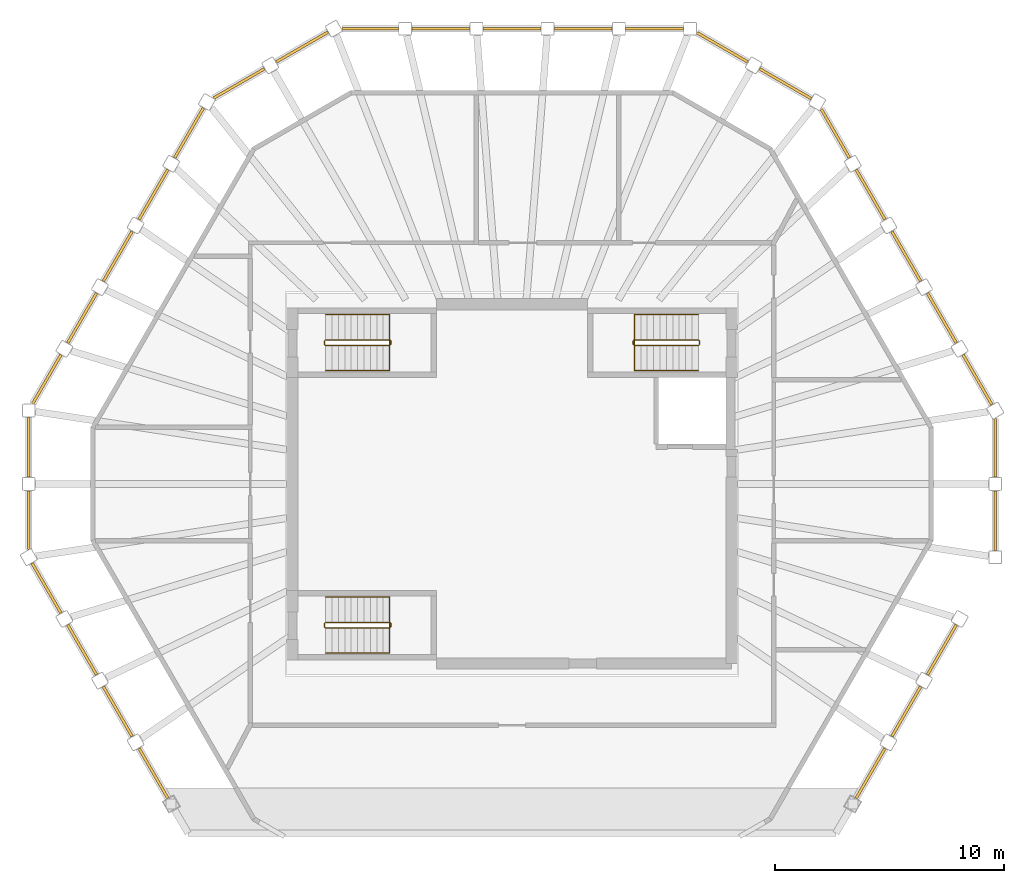
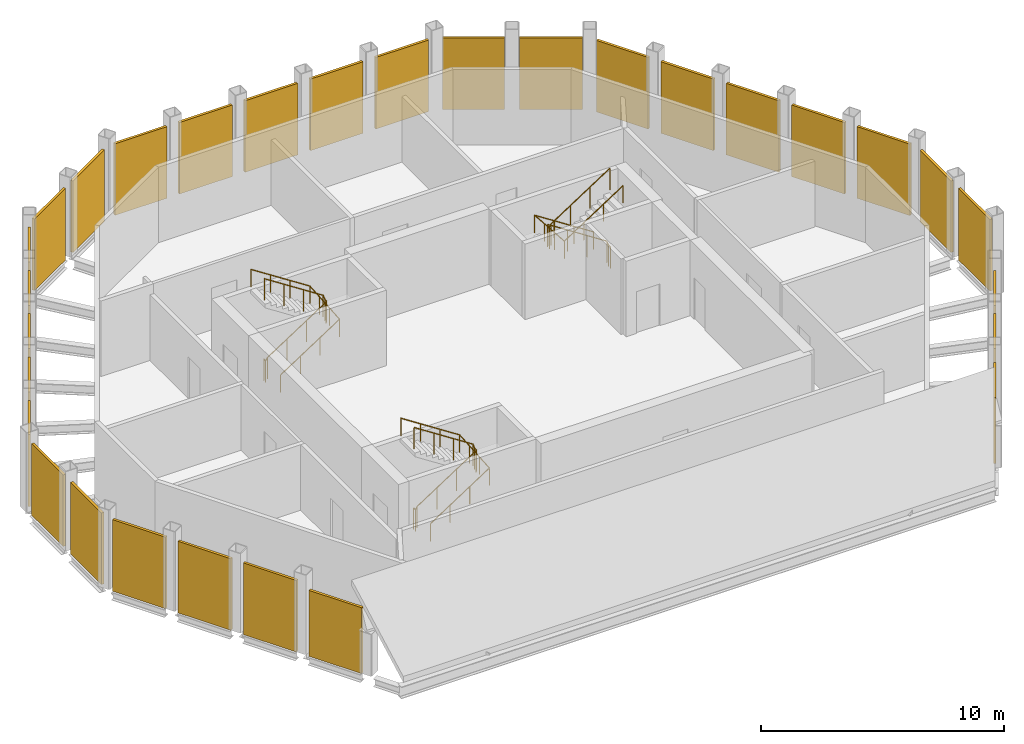
# One storey, part 5 of 5: 30 coverings, 6 railings.
"""IFC4 building model written with IfcOpenShell, lengths in metres."""

from ifc_helpers import new_model, si_unit, direction, frame, origin, origin_2d, place, context, subcontext, project, spatial, polyline, circle, outline, extrude, material, layer, layer_set, type_object, element, save


model = new_model("IFC4")

# Units and contexts
model_context = context("Model", 3, precision=1e-05, world=origin(), true_north=direction((0.0, 1.0)))
body_context = subcontext(model_context, "Body", "Model", "MODEL_VIEW")
ifc_project = project(units=[si_unit("LENGTHUNIT", "METRE"), si_unit("AREAUNIT", "SQUARE_METRE"), si_unit("VOLUMEUNIT", "CUBIC_METRE"), si_unit("PLANEANGLEUNIT", "RADIAN"), si_unit("MASSUNIT", "GRAM", prefix="KILO")], contexts=[model_context])

# Site, building, storey
site_placement = place(None, origin())
site = spatial("IfcSite", under=ifc_project, at=site_placement, CompositionType="ELEMENT")
building_placement = place(site_placement, origin())
building = spatial("IfcBuilding", under=site, at=building_placement, Name="Frailejon Research Tower", CompositionType="ELEMENT")
storey_placement = place(building_placement, frame((0.0, 0.0, 348.60009765625)))
storey = spatial("IfcBuildingStorey", under=building, at=storey_placement, Name="L78", CompositionType="ELEMENT", Elevation=348.60009765625)

# Coverings
ifc_material_1 = material(Name="Anodised aluminium louvres", Category="aluminium")
ifc_layer = layer(ifc_material_1, 0.1201171875)
ifc_layer_set = layer_set([ifc_layer], Name="Crown louvre screen 120")
covering_type = type_object("IfcCoveringType", Name="Crown louvre screen 120", PredefinedType="CLADDING", material=ifc_layer_set)
covering_1_placement = place(storey_placement, frame((21.12744140625, -0.300048828125, -0.2001953125), z_axis=(0.0, -1.0, 0.0), x_axis=(1.0, 0.0, 0.0)))
element("IfcCovering", 1, at=covering_1_placement, inside=storey, type_object=covering_type, Name="Crown louvre screen L78", PredefinedType="CLADDING", context=body_context, shape_type="SweptSolid", body=[
    extrude(outline(polyline([(-0.06005859375, 0.0), (0.06005859375, 0.0), (0.06005859375, 3.60009765625), (-0.06005859375, 3.60009765625), (-0.06005859375, 0.0)])), origin(), (0.0, 0.0, 1.0), 2.606201171875),
])
covering_2_placement = place(storey_placement, frame((21.12744140625, 2.859619140625, -0.2001953125), z_axis=(0.0, -1.0, 0.0), x_axis=(1.0, 0.0, 0.0)))
element("IfcCovering", 2, at=covering_2_placement, inside=storey, type_object=covering_type, Name="Crown louvre screen L78", PredefinedType="CLADDING", context=body_context, shape_type="SweptSolid", body=[
    extrude(outline(polyline([(-0.06005859375, 0.0), (0.06005859375, 0.0), (0.06005859375, 3.60009765625), (-0.06005859375, 3.60009765625), (-0.06005859375, 0.0)])), origin(), (0.0, 0.0, 1.0), 2.559814453125),
])
for number, where, z_axis, x_axis, name in (
    (3, (19.72021484375, 5.643798828125, -0.2001953125), (0.499996674019, -0.866027324032, 0.0), (0.866027324032, 0.499996674019, 0.0), "Crown louvre screen L78"),
    (4, (18.16259765625, 8.34130859375, -0.2001953125), (0.500009278777, -0.866020046614, 0.0), (0.866020046614, 0.500009278777, 0.0), "Crown louvre screen L78"),
    (5, (16.605224609375, 11.0390625, -0.2001953125), (0.499979456235, -0.866037264408, 0.0), (0.866037264408, 0.499979456235, 0.0), "Crown louvre screen L78"),
    (6, (15.047607421875, 13.736572265625, -0.2001953125), (0.500009278777, -0.866020046614, 0.0), (0.866020046614, 0.500009278777, 0.0), "Crown louvre screen L78"),
):
    element("IfcCovering", number, at=place(storey_placement, frame(where, z_axis=z_axis, x_axis=x_axis)), inside=storey, type_object=covering_type, Name=name, PredefinedType="CLADDING", context=body_context, shape_type="SweptSolid", body=[
        extrude(outline(polyline([(-0.06005859375, 0.0), (0.06005859375, 0.0), (0.06005859375, 3.60009765625), (-0.06005859375, 3.60009765625), (-0.06005859375, 0.0)])), origin(), (0.0, 0.0, 1.0), 2.514892578125),
    ])
covering_3_placement = place(storey_placement, frame((13.513427734375, 16.393798828125, -0.2001953125), z_axis=(0.499999492034, -0.866025697059, 0.0), x_axis=(0.866025697059, 0.499999492034, 0.0)))
element("IfcCovering", 7, at=covering_3_placement, inside=storey, type_object=covering_type, Name="Crown louvre screen L78", PredefinedType="CLADDING", context=body_context, shape_type="SweptSolid", body=[
    extrude(outline(polyline([(-0.06005859375, 0.0), (0.06005859375, 0.0), (0.06005859375, 3.60009765625), (-0.06005859375, 3.60009765625), (-0.06005859375, 0.0)])), origin(), (0.0, 0.0, 1.0), 2.468505859375),
])
covering_4_placement = place(storey_placement, frame((10.823486328125, 18.14697265625, -0.2001953125), z_axis=(0.866012414126, -0.500022498073, 0.0), x_axis=(0.500022498073, 0.866012414126, 0.0)))
element("IfcCovering", 8, at=covering_4_placement, inside=storey, type_object=covering_type, Name="Crown louvre screen L78", PredefinedType="CLADDING", context=body_context, shape_type="SweptSolid", body=[
    extrude(outline(polyline([(-0.06005859375, 0.0), (0.06005859375, 0.0), (0.06005859375, 3.60009765625), (-0.06005859375, 3.60009765625), (-0.06005859375, 0.0)])), origin(), (0.0, 0.0, 1.0), 2.606201171875),
])
covering_5_placement = place(storey_placement, frame((8.087158203125, 19.726806640625, -0.2001953125), z_axis=(0.866037258145, -0.499979467084, 0.0), x_axis=(0.499979467084, 0.866037258145, 0.0)))
element("IfcCovering", 9, at=covering_5_placement, inside=storey, type_object=covering_type, Name="Crown louvre screen L78", PredefinedType="CLADDING", context=body_context, shape_type="SweptSolid", body=[
    extrude(outline(polyline([(-0.06005859375, 0.0), (0.06005859375, 0.0), (0.06005859375, 3.60009765625), (-0.06005859375, 3.60009765625), (-0.06005859375, 0.0)])), origin(), (0.0, 0.0, 1.0), 2.559814453125),
])
for number, where, z_axis, x_axis, name in (
    (10, (4.972412109375, 19.89990234375, -0.2001953125), (1.0, 0.0, 0.0), (0.0, 1.0, 0.0), "Crown louvre screen L78"),
    (11, (1.857421875, 19.89990234375, -0.2001953125), (1.0, 0.0, 0.0), (0.0, 1.0, 0.0), "Crown louvre screen L78"),
    (12, (-1.25732421875, 19.89990234375, -0.2001953125), (1.0, 0.0, 0.0), (0.0, 1.0, 0.0), "Crown louvre screen L78"),
    (13, (-4.372314453125, 19.89990234375, -0.2001953125), (1.0, 0.0, 0.0), (0.0, 1.0, 0.0), "Crown louvre screen L78"),
):
    element("IfcCovering", number, at=place(storey_placement, frame(where, z_axis=z_axis, x_axis=x_axis)), inside=storey, type_object=covering_type, Name=name, PredefinedType="CLADDING", context=body_context, shape_type="SweptSolid", body=[
        extrude(outline(polyline([(-0.06005859375, 0.0), (0.06005859375, 0.0), (0.06005859375, 3.60009765625), (-0.06005859375, 3.60009765625), (-0.06005859375, 0.0)])), origin(), (0.0, 0.0, 1.0), 2.514892578125),
    ])
covering_6_placement = place(storey_placement, frame((-7.44091796875, 19.89990234375, -0.2001953125), z_axis=(1.0, 0.0, 0.0), x_axis=(0.0, 1.0, 0.0)))
element("IfcCovering", 14, at=covering_6_placement, inside=storey, type_object=covering_type, Name="Crown louvre screen L78", PredefinedType="CLADDING", context=body_context, shape_type="SweptSolid", body=[
    extrude(outline(polyline([(-0.06005859375, 0.0), (0.06005859375, 0.0), (0.06005859375, 3.60009765625), (-0.06005859375, 3.60009765625), (-0.06005859375, 0.0)])), origin(), (0.0, 0.0, 1.0), 2.468505859375),
])
covering_7_placement = place(storey_placement, frame((-10.303955078125, 18.447021484375, -0.2001953125), z_axis=(0.866038622295, 0.49997710417, 0.0), x_axis=(-0.49997710417, 0.866038622295, 0.0)))
element("IfcCovering", 15, at=covering_7_placement, inside=storey, type_object=covering_type, Name="Crown louvre screen L78", PredefinedType="CLADDING", context=body_context, shape_type="SweptSolid", body=[
    extrude(outline(polyline([(-0.06005859375, 0.0), (0.06005859375, 0.0), (0.06005859375, 3.60009765625), (-0.06005859375, 3.60009765625), (-0.06005859375, 0.0)])), origin(), (0.0, 0.0, 1.0), 2.606201171875),
])
covering_8_placement = place(storey_placement, frame((-13.040283203125, 16.8671875, -0.2001953125), z_axis=(0.866010574459, 0.500025684265, 0.0), x_axis=(-0.500025684265, 0.866010574459, 0.0)))
element("IfcCovering", 16, at=covering_8_placement, inside=storey, type_object=covering_type, Name="Crown louvre screen L78", PredefinedType="CLADDING", context=body_context, shape_type="SweptSolid", body=[
    extrude(outline(polyline([(-0.06005859375, 0.0), (0.06005859375, 0.0), (0.06005859375, 3.60009765625), (-0.06005859375, 3.60009765625), (-0.06005859375, 0.0)])), origin(), (0.0, 0.0, 1.0), 2.559814453125),
])
for number, where, z_axis, x_axis, name in (
    (17, (-14.747802734375, 14.256103515625, -0.2001953125), (0.499996674019, 0.866027324032, 0.0), (-0.866027324032, 0.499996674019, 0.0), "Crown louvre screen L78"),
    (18, (-16.30517578125, 11.55859375, -0.2001953125), (0.500009278777, 0.866020046614, 0.0), (-0.866020046614, 0.500009278777, 0.0), "Crown louvre screen L78"),
    (19, (-17.862548828125, 8.861083984375, -0.2001953125), (0.499979456235, 0.866037264408, 0.0), (-0.866037264408, 0.499979456235, 0.0), "Crown louvre screen L78"),
    (20, (-19.420166015625, 6.163330078125, -0.2001953125), (0.500009278777, 0.866020046614, 0.0), (-0.866020046614, 0.500009278777, 0.0), "Crown louvre screen L78"),
):
    element("IfcCovering", number, at=place(storey_placement, frame(where, z_axis=z_axis, x_axis=x_axis)), inside=storey, type_object=covering_type, Name=name, PredefinedType="CLADDING", context=body_context, shape_type="SweptSolid", body=[
        extrude(outline(polyline([(-0.06005859375, 0.0), (0.06005859375, 0.0), (0.06005859375, 3.60009765625), (-0.06005859375, 3.60009765625), (-0.06005859375, 0.0)])), origin(), (0.0, 0.0, 1.0), 2.514892578125),
    ])
covering_9_placement = place(storey_placement, frame((-20.954345703125, 3.506103515625, -0.2001953125), z_axis=(0.499999492034, 0.866025697059, 0.0), x_axis=(-0.866025697059, 0.499999492034, 0.0)))
element("IfcCovering", 21, at=covering_9_placement, inside=storey, type_object=covering_type, Name="Crown louvre screen L78", PredefinedType="CLADDING", context=body_context, shape_type="SweptSolid", body=[
    extrude(outline(polyline([(-0.06005859375, 0.0), (0.06005859375, 0.0), (0.06005859375, 3.60009765625), (-0.06005859375, 3.60009765625), (-0.06005859375, 0.0)])), origin(), (0.0, 0.0, 1.0), 2.468505859375),
])
covering_10_placement = place(storey_placement, frame((-21.12744140625, 0.300048828125, -0.2001953125), z_axis=(0.0, 1.0, 0.0), x_axis=(-1.0, 0.0, 0.0)))
element("IfcCovering", 22, at=covering_10_placement, inside=storey, type_object=covering_type, Name="Crown louvre screen L78", PredefinedType="CLADDING", context=body_context, shape_type="SweptSolid", body=[
    extrude(outline(polyline([(-0.06005859375, 0.0), (0.06005859375, 0.0), (0.06005859375, 3.60009765625), (-0.06005859375, 3.60009765625), (-0.06005859375, 0.0)])), origin(), (0.0, 0.0, 1.0), 2.606201171875),
])
covering_11_placement = place(storey_placement, frame((-21.12744140625, -2.859619140625, -0.2001953125), z_axis=(0.0, 1.0, 0.0), x_axis=(-1.0, 0.0, 0.0)))
element("IfcCovering", 23, at=covering_11_placement, inside=storey, type_object=covering_type, Name="Crown louvre screen L78", PredefinedType="CLADDING", context=body_context, shape_type="SweptSolid", body=[
    extrude(outline(polyline([(-0.06005859375, 0.0), (0.06005859375, 0.0), (0.06005859375, 3.60009765625), (-0.06005859375, 3.60009765625), (-0.06005859375, 0.0)])), origin(), (0.0, 0.0, 1.0), 2.559814453125),
])
for number, where, z_axis, x_axis, name in (
    (24, (-19.72021484375, -5.643798828125, -0.2001953125), (-0.499996674019, 0.866027324032, 0.0), (-0.866027324032, -0.499996674019, 0.0), "Crown louvre screen L78"),
    (25, (-18.16259765625, -8.34130859375, -0.2001953125), (-0.500009278777, 0.866020046614, 0.0), (-0.866020046614, -0.500009278777, 0.0), "Crown louvre screen L78"),
    (26, (-16.605224609375, -11.0390625, -0.2001953125), (-0.499979456235, 0.866037264408, 0.0), (-0.866037264408, -0.499979456235, 0.0), "Crown louvre screen L78"),
):
    element("IfcCovering", number, at=place(storey_placement, frame(where, z_axis=z_axis, x_axis=x_axis)), inside=storey, type_object=covering_type, Name=name, PredefinedType="CLADDING", context=body_context, shape_type="SweptSolid", body=[
        extrude(outline(polyline([(-0.06005859375, 0.0), (0.06005859375, 0.0), (0.06005859375, 3.60009765625), (-0.06005859375, 3.60009765625), (-0.06005859375, 0.0)])), origin(), (0.0, 0.0, 1.0), 2.514892578125),
    ])
for number, where, z_axis, x_axis, name in (
    (27, (-15.047607421875, -13.736572265625, -0.2001953125), (-0.500009278777, 0.866020046614, 0.0), (-0.866020046614, -0.500009278777, 0.0), "Crown louvre screen L78"),
    (28, (16.30517578125, -11.55859375, -0.2001953125), (-0.500009278777, -0.866020046614, 0.0), (0.866020046614, -0.500009278777, 0.0), "Crown louvre screen L78"),
):
    element("IfcCovering", number, at=place(storey_placement, frame(where, z_axis=z_axis, x_axis=x_axis)), inside=storey, type_object=covering_type, Name=name, PredefinedType="CLADDING", context=body_context, shape_type="SweptSolid", body=[
        extrude(outline(polyline([(-0.06005859375, 0.0), (0.06005859375, 0.0), (0.06005859375, 3.314208984375), (-0.06005859375, 3.314208984375), (-0.06005859375, 0.0)])), origin(), (0.0, 0.0, 1.0), 2.514892578125),
    ])
for number, where, z_axis, x_axis, name in (
    (29, (17.862548828125, -8.861083984375, -0.2001953125), (-0.499979456235, -0.866037264408, 0.0), (0.866037264408, -0.499979456235, 0.0), "Crown louvre screen L78"),
    (30, (19.420166015625, -6.163330078125, -0.2001953125), (-0.500009278777, -0.866020046614, 0.0), (0.866020046614, -0.500009278777, 0.0), "Crown louvre screen L78"),
):
    element("IfcCovering", number, at=place(storey_placement, frame(where, z_axis=z_axis, x_axis=x_axis)), inside=storey, type_object=covering_type, Name=name, PredefinedType="CLADDING", context=body_context, shape_type="SweptSolid", body=[
        extrude(outline(polyline([(-0.06005859375, 0.0), (0.06005859375, 0.0), (0.06005859375, 3.60009765625), (-0.06005859375, 3.60009765625), (-0.06005859375, 0.0)])), origin(), (0.0, 0.0, 1.0), 2.514892578125),
    ])

# Railings
ifc_material_2 = material(Name="Stainless steel", Category="steel")
railing_type_1 = type_object("IfcRailingType", Name="Stair guard 1100", PredefinedType="GUARDRAIL", material=ifc_material_2)
railing_1_placement = place(storey_placement, frame((-8.199951171875, 6.25, 0.0)))
element("IfcRailing", 31, at=railing_1_placement, inside=storey, type_object=railing_type_1, Name="L78 ST1 stair guard 1", PredefinedType="GUARDRAIL", context=body_context, shape_type="SweptSolid", body=[
    extrude(circle(Radius=0.02392578125, at=origin_2d()), frame((0.0, 0.0, 1.076171875), z_axis=(0.0, -1.0, 0.0), x_axis=(1.0, 0.0, 0.0)), (0.0, 0.0, 1.0), 0.14990234375),
    extrude(circle(Radius=0.02392578125, at=origin_2d()), frame((0.0, -0.14990234375, 1.076171875), z_axis=(0.256734642926, -0.256734642926, 0.931758899203), x_axis=(0.707106781187, 0.707106781187, 0.0)), (0.0, 0.0, 1.0), 0.19482421875),
    extrude(circle(Radius=0.02392578125, at=origin_2d()), frame((0.050048828125, -0.199951171875, 1.2578125), z_axis=(0.838650734948, 0.0, 0.544669573936), x_axis=(0.0, 1.0, 0.0)), (0.0, 0.0, 1.0), 3.33837890625),
    extrude(circle(Radius=0.02392578125, at=origin_2d()), frame((2.849853515625, -0.199951171875, 3.076171875), z_axis=(0.707106781187, 0.707106781187, 0.0), x_axis=(-0.707106781187, 0.707106781187, 0.0)), (0.0, 0.0, 1.0), 0.07080078125),
    extrude(circle(Radius=0.02392578125, at=origin_2d()), frame((2.89990234375, -0.14990234375, 3.076171875), z_axis=(0.0, 1.0, 0.0), x_axis=(-1.0, 0.0, 0.0)), (0.0, 0.0, 1.0), 0.14990234375),
    extrude(circle(Radius=0.02392578125, at=origin_2d()), frame((2.89990234375, 0.0, 3.076171875), z_axis=(-0.256734642926, 0.256734642926, 0.931758899203), x_axis=(-0.707106781187, -0.707106781187, 0.0)), (0.0, 0.0, 1.0), 0.19482421875),
    extrude(circle(Radius=0.02392578125, at=origin_2d()), frame((2.849853515625, 0.050048828125, 3.2578125), z_axis=(-0.838650734948, 0.0, 0.544669573936), x_axis=(0.0, -1.0, 0.0)), (0.0, 0.0, 1.0), 3.33837890625),
    extrude(circle(Radius=0.02099609375, at=origin_2d()), origin(), (0.0, 0.0, 1.0), 1.052001953125),
    extrude(circle(Radius=0.02099609375, at=origin_2d()), frame((0.0, -0.14990234375, 0.0)), (0.0, 0.0, 1.0), 1.052001953125),
    extrude(circle(Radius=0.02099609375, at=origin_2d()), frame((0.050048828125, -0.199951171875, 0.181640625)), (0.0, 0.0, 1.0), 1.052001953125),
    extrude(circle(Radius=0.02099609375, at=origin_2d()), frame((0.9833984375, -0.199951171875, 0.787841796875)), (0.0, 0.0, 1.0), 1.052001953125),
    extrude(circle(Radius=0.02099609375, at=origin_2d()), frame((1.91650390625, -0.199951171875, 1.393798828125)), (0.0, 0.0, 1.0), 1.052001953125),
    extrude(circle(Radius=0.02099609375, at=origin_2d()), frame((2.849853515625, -0.199951171875, 2.0)), (0.0, 0.0, 1.0), 1.052001953125),
    extrude(circle(Radius=0.02099609375, at=origin_2d()), frame((2.89990234375, -0.14990234375, 2.0)), (0.0, 0.0, 1.0), 1.052001953125),
    extrude(circle(Radius=0.02099609375, at=origin_2d()), frame((2.89990234375, 0.0, 2.0)), (0.0, 0.0, 1.0), 1.052001953125),
    extrude(circle(Radius=0.02099609375, at=origin_2d()), frame((2.849853515625, 0.050048828125, 2.181640625)), (0.0, 0.0, 1.0), 1.052001953125),
    extrude(circle(Radius=0.02099609375, at=origin_2d()), frame((1.91650390625, 0.050048828125, 2.787841796875)), (0.0, 0.0, 1.0), 1.052001953125),
    extrude(circle(Radius=0.02099609375, at=origin_2d()), frame((0.9833984375, 0.050048828125, 3.393798828125)), (0.0, 0.0, 1.0), 1.052001953125),
    extrude(circle(Radius=0.02099609375, at=origin_2d()), frame((0.050048828125, 0.050048828125, 4.0)), (0.0, 0.0, 1.0), 1.052001953125),
])
railing_2_placement = place(storey_placement, frame((-8.199951171875, -6.10009765625, 0.0)))
element("IfcRailing", 32, at=railing_2_placement, inside=storey, type_object=railing_type_1, Name="L78 ST2 stair guard 1", PredefinedType="GUARDRAIL", context=body_context, shape_type="SweptSolid", body=[
    extrude(circle(Radius=0.02392578125, at=origin_2d()), frame((0.0, 0.0, 1.076171875), z_axis=(0.0, -1.0, 0.0), x_axis=(1.0, 0.0, 0.0)), (0.0, 0.0, 1.0), 0.14990234375),
    extrude(circle(Radius=0.02392578125, at=origin_2d()), frame((0.0, -0.14990234375, 1.076171875), z_axis=(0.256734642926, -0.256734642926, 0.931758899203), x_axis=(0.707106781187, 0.707106781187, 0.0)), (0.0, 0.0, 1.0), 0.19482421875),
    extrude(circle(Radius=0.02392578125, at=origin_2d()), frame((0.050048828125, -0.199951171875, 1.2578125), z_axis=(0.838650734948, 0.0, 0.544669573936), x_axis=(0.0, 1.0, 0.0)), (0.0, 0.0, 1.0), 3.33837890625),
    extrude(circle(Radius=0.02392578125, at=origin_2d()), frame((2.849853515625, -0.199951171875, 3.076171875), z_axis=(0.707106781187, 0.707106781187, 0.0), x_axis=(-0.707106781187, 0.707106781187, 0.0)), (0.0, 0.0, 1.0), 0.07080078125),
    extrude(circle(Radius=0.02392578125, at=origin_2d()), frame((2.89990234375, -0.14990234375, 3.076171875), z_axis=(0.0, 1.0, 0.0), x_axis=(-1.0, 0.0, 0.0)), (0.0, 0.0, 1.0), 0.14990234375),
    extrude(circle(Radius=0.02392578125, at=origin_2d()), frame((2.89990234375, 0.0, 3.076171875), z_axis=(-0.256734642926, 0.256734642926, 0.931758899203), x_axis=(-0.707106781187, -0.707106781187, 0.0)), (0.0, 0.0, 1.0), 0.19482421875),
    extrude(circle(Radius=0.02392578125, at=origin_2d()), frame((2.849853515625, 0.050048828125, 3.2578125), z_axis=(-0.838650734948, 0.0, 0.544669573936), x_axis=(0.0, -1.0, 0.0)), (0.0, 0.0, 1.0), 3.33837890625),
    extrude(circle(Radius=0.02099609375, at=origin_2d()), origin(), (0.0, 0.0, 1.0), 1.052001953125),
    extrude(circle(Radius=0.02099609375, at=origin_2d()), frame((0.0, -0.14990234375, 0.0)), (0.0, 0.0, 1.0), 1.052001953125),
    extrude(circle(Radius=0.02099609375, at=origin_2d()), frame((0.050048828125, -0.199951171875, 0.181640625)), (0.0, 0.0, 1.0), 1.052001953125),
    extrude(circle(Radius=0.02099609375, at=origin_2d()), frame((0.9833984375, -0.199951171875, 0.787841796875)), (0.0, 0.0, 1.0), 1.052001953125),
    extrude(circle(Radius=0.02099609375, at=origin_2d()), frame((1.91650390625, -0.199951171875, 1.393798828125)), (0.0, 0.0, 1.0), 1.052001953125),
    extrude(circle(Radius=0.02099609375, at=origin_2d()), frame((2.849853515625, -0.199951171875, 2.0)), (0.0, 0.0, 1.0), 1.052001953125),
    extrude(circle(Radius=0.02099609375, at=origin_2d()), frame((2.89990234375, -0.14990234375, 2.0)), (0.0, 0.0, 1.0), 1.052001953125),
    extrude(circle(Radius=0.02099609375, at=origin_2d()), frame((2.89990234375, 0.0, 2.0)), (0.0, 0.0, 1.0), 1.052001953125),
    extrude(circle(Radius=0.02099609375, at=origin_2d()), frame((2.849853515625, 0.050048828125, 2.181640625)), (0.0, 0.0, 1.0), 1.052001953125),
    extrude(circle(Radius=0.02099609375, at=origin_2d()), frame((1.91650390625, 0.050048828125, 2.787841796875)), (0.0, 0.0, 1.0), 1.052001953125),
    extrude(circle(Radius=0.02099609375, at=origin_2d()), frame((0.9833984375, 0.050048828125, 3.393798828125)), (0.0, 0.0, 1.0), 1.052001953125),
    extrude(circle(Radius=0.02099609375, at=origin_2d()), frame((0.050048828125, 0.050048828125, 4.0)), (0.0, 0.0, 1.0), 1.052001953125),
])
railing_3_placement = place(storey_placement, frame((8.199951171875, 6.10009765625, 0.0)))
element("IfcRailing", 33, at=railing_3_placement, inside=storey, type_object=railing_type_1, Name="L78 ST3 stair guard 1", PredefinedType="GUARDRAIL", context=body_context, shape_type="SweptSolid", body=[
    extrude(circle(Radius=0.02392578125, at=origin_2d()), frame((0.0, 0.0, 1.076171875), z_axis=(0.0, 1.0, 0.0), x_axis=(-1.0, 0.0, 0.0)), (0.0, 0.0, 1.0), 0.14990234375),
    extrude(circle(Radius=0.02392578125, at=origin_2d()), frame((0.0, 0.14990234375, 1.076171875), z_axis=(-0.256734642926, 0.256734642926, 0.931758899203), x_axis=(-0.707106781187, -0.707106781187, 0.0)), (0.0, 0.0, 1.0), 0.19482421875),
    extrude(circle(Radius=0.02392578125, at=origin_2d()), frame((-0.050048828125, 0.199951171875, 1.2578125), z_axis=(-0.838650734948, 0.0, 0.544669573936), x_axis=(0.0, -1.0, 0.0)), (0.0, 0.0, 1.0), 3.33837890625),
    extrude(circle(Radius=0.02392578125, at=origin_2d()), frame((-2.849853515625, 0.199951171875, 3.076171875), z_axis=(-0.707106781187, -0.707106781187, 0.0), x_axis=(0.707106781187, -0.707106781187, 0.0)), (0.0, 0.0, 1.0), 0.07080078125),
    extrude(circle(Radius=0.02392578125, at=origin_2d()), frame((-2.89990234375, 0.14990234375, 3.076171875), z_axis=(0.0, -1.0, 0.0), x_axis=(1.0, 0.0, 0.0)), (0.0, 0.0, 1.0), 0.14990234375),
    extrude(circle(Radius=0.02392578125, at=origin_2d()), frame((-2.89990234375, 0.0, 3.076171875), z_axis=(0.256734642926, -0.256734642926, 0.931758899203), x_axis=(0.707106781187, 0.707106781187, 0.0)), (0.0, 0.0, 1.0), 0.19482421875),
    extrude(circle(Radius=0.02392578125, at=origin_2d()), frame((-2.849853515625, -0.050048828125, 3.2578125), z_axis=(0.838650734948, 0.0, 0.544669573936), x_axis=(0.0, 1.0, 0.0)), (0.0, 0.0, 1.0), 3.33837890625),
    extrude(circle(Radius=0.02099609375, at=origin_2d()), origin(), (0.0, 0.0, 1.0), 1.052001953125),
    extrude(circle(Radius=0.02099609375, at=origin_2d()), frame((0.0, 0.14990234375, 0.0)), (0.0, 0.0, 1.0), 1.052001953125),
    extrude(circle(Radius=0.02099609375, at=origin_2d()), frame((-0.050048828125, 0.199951171875, 0.181640625)), (0.0, 0.0, 1.0), 1.052001953125),
    extrude(circle(Radius=0.02099609375, at=origin_2d()), frame((-0.9833984375, 0.199951171875, 0.787841796875)), (0.0, 0.0, 1.0), 1.052001953125),
    extrude(circle(Radius=0.02099609375, at=origin_2d()), frame((-1.91650390625, 0.199951171875, 1.393798828125)), (0.0, 0.0, 1.0), 1.052001953125),
    extrude(circle(Radius=0.02099609375, at=origin_2d()), frame((-2.849853515625, 0.199951171875, 2.0)), (0.0, 0.0, 1.0), 1.052001953125),
    extrude(circle(Radius=0.02099609375, at=origin_2d()), frame((-2.89990234375, 0.14990234375, 2.0)), (0.0, 0.0, 1.0), 1.052001953125),
    extrude(circle(Radius=0.02099609375, at=origin_2d()), frame((-2.89990234375, 0.0, 2.0)), (0.0, 0.0, 1.0), 1.052001953125),
    extrude(circle(Radius=0.02099609375, at=origin_2d()), frame((-2.849853515625, -0.050048828125, 2.181640625)), (0.0, 0.0, 1.0), 1.052001953125),
    extrude(circle(Radius=0.02099609375, at=origin_2d()), frame((-1.91650390625, -0.050048828125, 2.787841796875)), (0.0, 0.0, 1.0), 1.052001953125),
    extrude(circle(Radius=0.02099609375, at=origin_2d()), frame((-0.9833984375, -0.050048828125, 3.393798828125)), (0.0, 0.0, 1.0), 1.052001953125),
    extrude(circle(Radius=0.02099609375, at=origin_2d()), frame((-0.050048828125, -0.050048828125, 4.0)), (0.0, 0.0, 1.0), 1.052001953125),
])
ifc_material_3 = material(Name="Stainless steel", Category="steel")
railing_type_2 = type_object("IfcRailingType", Name="Stair handrail 900", PredefinedType="HANDRAIL", material=ifc_material_3)
railing_4_placement = place(storey_placement, frame((-8.14990234375, 4.949951171875, 0.181640625)))
element("IfcRailing", 34, at=railing_4_placement, inside=storey, type_object=railing_type_2, Name="L78 ST1 stair handrail 1", PredefinedType="HANDRAIL", context=body_context, shape_type="SweptSolid", body=[
    extrude(circle(Radius=0.02392578125, at=origin_2d()), frame((0.0, 0.0, 0.8759765625), z_axis=(0.838650734948, 0.0, 0.544669573936), x_axis=(0.0, 1.0, 0.0)), (0.0, 0.0, 1.0), 3.33837890625),
    extrude(circle(Radius=0.02392578125, at=origin_2d()), frame((2.7998046875, 0.0, 2.6943359375), z_axis=(0.0, 0.997262871482, 0.073937576122), x_axis=(-1.0, 0.0, 0.0)), (0.0, 0.0, 1.0), 2.456787109375),
    extrude(circle(Radius=0.02392578125, at=origin_2d()), frame((2.7998046875, 2.449951171875, 2.8759765625), z_axis=(-0.838650734948, 0.0, 0.544669573936), x_axis=(0.0, -1.0, 0.0)), (0.0, 0.0, 1.0), 3.33837890625),
    extrude(circle(Radius=0.02099609375, at=origin_2d()), origin(), (0.0, 0.0, 1.0), 0.851806640625),
    extrude(circle(Radius=0.02099609375, at=origin_2d()), frame((0.933349609375, 0.0, 0.606201171875)), (0.0, 0.0, 1.0), 0.851806640625),
    extrude(circle(Radius=0.02099609375, at=origin_2d()), frame((1.866455078125, 0.0, 1.212158203125)), (0.0, 0.0, 1.0), 0.851806640625),
    extrude(circle(Radius=0.02099609375, at=origin_2d()), frame((2.7998046875, 0.0, 1.818359375)), (0.0, 0.0, 1.0), 0.851806640625),
    extrude(circle(Radius=0.02099609375, at=origin_2d()), frame((2.7998046875, 0.816650390625, 1.87890625)), (0.0, 0.0, 1.0), 0.851806640625),
    extrude(circle(Radius=0.02099609375, at=origin_2d()), frame((2.7998046875, 1.63330078125, 1.939453125)), (0.0, 0.0, 1.0), 0.851806640625),
    extrude(circle(Radius=0.02099609375, at=origin_2d()), frame((2.7998046875, 2.449951171875, 2.0)), (0.0, 0.0, 1.0), 0.851806640625),
    extrude(circle(Radius=0.02099609375, at=origin_2d()), frame((1.866455078125, 2.449951171875, 2.606201171875)), (0.0, 0.0, 1.0), 0.851806640625),
    extrude(circle(Radius=0.02099609375, at=origin_2d()), frame((0.933349609375, 2.449951171875, 3.212158203125)), (0.0, 0.0, 1.0), 0.851806640625),
    extrude(circle(Radius=0.02099609375, at=origin_2d()), frame((0.0, 2.449951171875, 3.818359375)), (0.0, 0.0, 1.0), 0.851806640625),
])
railing_5_placement = place(storey_placement, frame((-8.14990234375, -7.39990234375, 0.181640625)))
element("IfcRailing", 35, at=railing_5_placement, inside=storey, type_object=railing_type_2, Name="L78 ST2 stair handrail 1", PredefinedType="HANDRAIL", context=body_context, shape_type="SweptSolid", body=[
    extrude(circle(Radius=0.02392578125, at=origin_2d()), frame((0.0, 0.0, 0.8759765625), z_axis=(0.838650734948, 0.0, 0.544669573936), x_axis=(0.0, 1.0, 0.0)), (0.0, 0.0, 1.0), 3.33837890625),
    extrude(circle(Radius=0.02392578125, at=origin_2d()), frame((2.7998046875, 0.0, 2.6943359375), z_axis=(0.0, 0.997262871482, 0.073937576122), x_axis=(-1.0, 0.0, 0.0)), (0.0, 0.0, 1.0), 2.456787109375),
    extrude(circle(Radius=0.02392578125, at=origin_2d()), frame((2.7998046875, 2.449951171875, 2.8759765625), z_axis=(-0.838650734948, 0.0, 0.544669573936), x_axis=(0.0, -1.0, 0.0)), (0.0, 0.0, 1.0), 3.33837890625),
    extrude(circle(Radius=0.02099609375, at=origin_2d()), origin(), (0.0, 0.0, 1.0), 0.851806640625),
    extrude(circle(Radius=0.02099609375, at=origin_2d()), frame((0.933349609375, 0.0, 0.606201171875)), (0.0, 0.0, 1.0), 0.851806640625),
    extrude(circle(Radius=0.02099609375, at=origin_2d()), frame((1.866455078125, 0.0, 1.212158203125)), (0.0, 0.0, 1.0), 0.851806640625),
    extrude(circle(Radius=0.02099609375, at=origin_2d()), frame((2.7998046875, 0.0, 1.818359375)), (0.0, 0.0, 1.0), 0.851806640625),
    extrude(circle(Radius=0.02099609375, at=origin_2d()), frame((2.7998046875, 0.816650390625, 1.87890625)), (0.0, 0.0, 1.0), 0.851806640625),
    extrude(circle(Radius=0.02099609375, at=origin_2d()), frame((2.7998046875, 1.63330078125, 1.939453125)), (0.0, 0.0, 1.0), 0.851806640625),
    extrude(circle(Radius=0.02099609375, at=origin_2d()), frame((2.7998046875, 2.449951171875, 2.0)), (0.0, 0.0, 1.0), 0.851806640625),
    extrude(circle(Radius=0.02099609375, at=origin_2d()), frame((1.866455078125, 2.449951171875, 2.606201171875)), (0.0, 0.0, 1.0), 0.851806640625),
    extrude(circle(Radius=0.02099609375, at=origin_2d()), frame((0.933349609375, 2.449951171875, 3.212158203125)), (0.0, 0.0, 1.0), 0.851806640625),
    extrude(circle(Radius=0.02099609375, at=origin_2d()), frame((0.0, 2.449951171875, 3.818359375)), (0.0, 0.0, 1.0), 0.851806640625),
])
railing_6_placement = place(storey_placement, frame((8.14990234375, 7.39990234375, 0.181640625)))
element("IfcRailing", 36, at=railing_6_placement, inside=storey, type_object=railing_type_2, Name="L78 ST3 stair handrail 1", PredefinedType="HANDRAIL", context=body_context, shape_type="SweptSolid", body=[
    extrude(circle(Radius=0.02392578125, at=origin_2d()), frame((0.0, 0.0, 0.8759765625), z_axis=(-0.838650734948, 0.0, 0.544669573936), x_axis=(0.0, -1.0, 0.0)), (0.0, 0.0, 1.0), 3.33837890625),
    extrude(circle(Radius=0.02392578125, at=origin_2d()), frame((-2.7998046875, 0.0, 2.6943359375), z_axis=(0.0, -0.997262871482, 0.073937576122), x_axis=(1.0, 0.0, 0.0)), (0.0, 0.0, 1.0), 2.456787109375),
    extrude(circle(Radius=0.02392578125, at=origin_2d()), frame((-2.7998046875, -2.449951171875, 2.8759765625), z_axis=(0.838650734948, 0.0, 0.544669573936), x_axis=(0.0, 1.0, 0.0)), (0.0, 0.0, 1.0), 3.33837890625),
    extrude(circle(Radius=0.02099609375, at=origin_2d()), origin(), (0.0, 0.0, 1.0), 0.851806640625),
    extrude(circle(Radius=0.02099609375, at=origin_2d()), frame((-0.933349609375, 0.0, 0.606201171875)), (0.0, 0.0, 1.0), 0.851806640625),
    extrude(circle(Radius=0.02099609375, at=origin_2d()), frame((-1.866455078125, 0.0, 1.212158203125)), (0.0, 0.0, 1.0), 0.851806640625),
    extrude(circle(Radius=0.02099609375, at=origin_2d()), frame((-2.7998046875, 0.0, 1.818359375)), (0.0, 0.0, 1.0), 0.851806640625),
    extrude(circle(Radius=0.02099609375, at=origin_2d()), frame((-2.7998046875, -0.816650390625, 1.87890625)), (0.0, 0.0, 1.0), 0.851806640625),
    extrude(circle(Radius=0.02099609375, at=origin_2d()), frame((-2.7998046875, -1.63330078125, 1.939453125)), (0.0, 0.0, 1.0), 0.851806640625),
    extrude(circle(Radius=0.02099609375, at=origin_2d()), frame((-2.7998046875, -2.449951171875, 2.0)), (0.0, 0.0, 1.0), 0.851806640625),
    extrude(circle(Radius=0.02099609375, at=origin_2d()), frame((-1.866455078125, -2.449951171875, 2.606201171875)), (0.0, 0.0, 1.0), 0.851806640625),
    extrude(circle(Radius=0.02099609375, at=origin_2d()), frame((-0.933349609375, -2.449951171875, 3.212158203125)), (0.0, 0.0, 1.0), 0.851806640625),
    extrude(circle(Radius=0.02099609375, at=origin_2d()), frame((0.0, -2.449951171875, 3.818359375)), (0.0, 0.0, 1.0), 0.851806640625),
])

save(model, "model.ifc")
